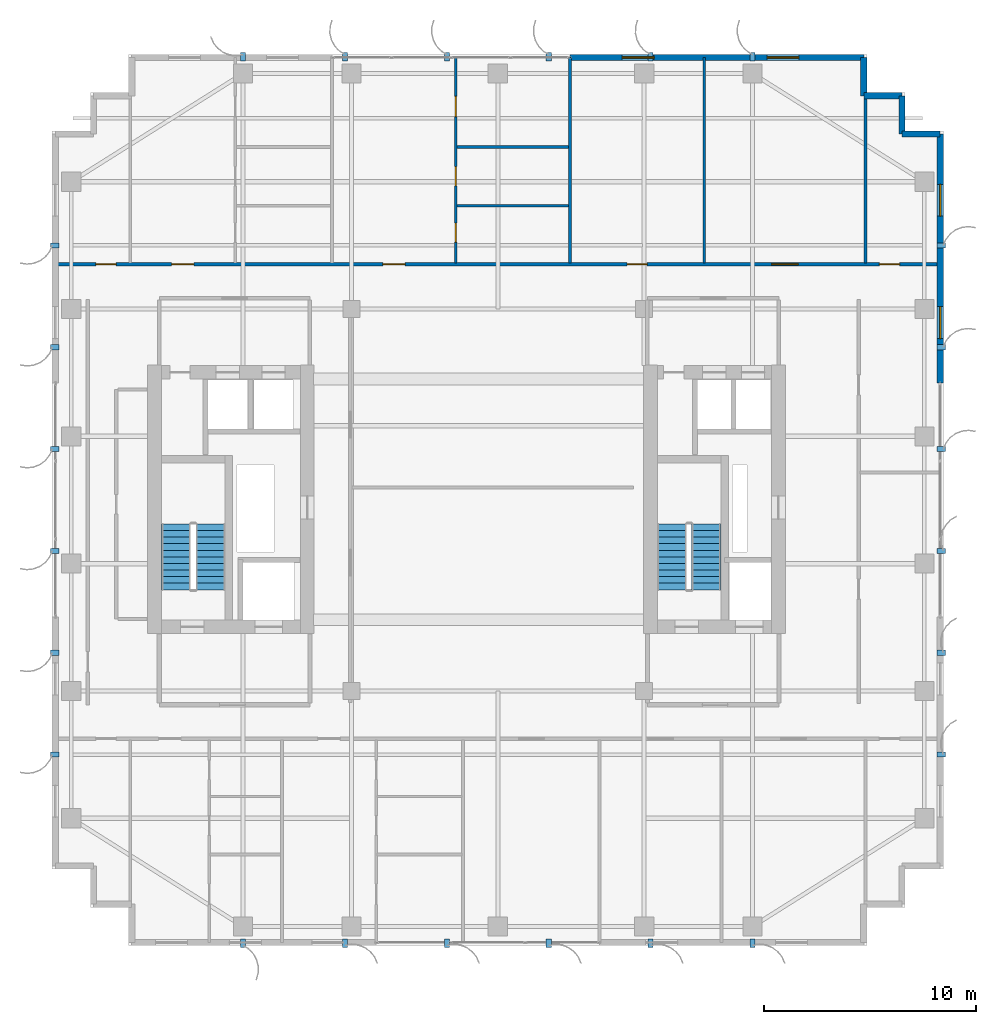
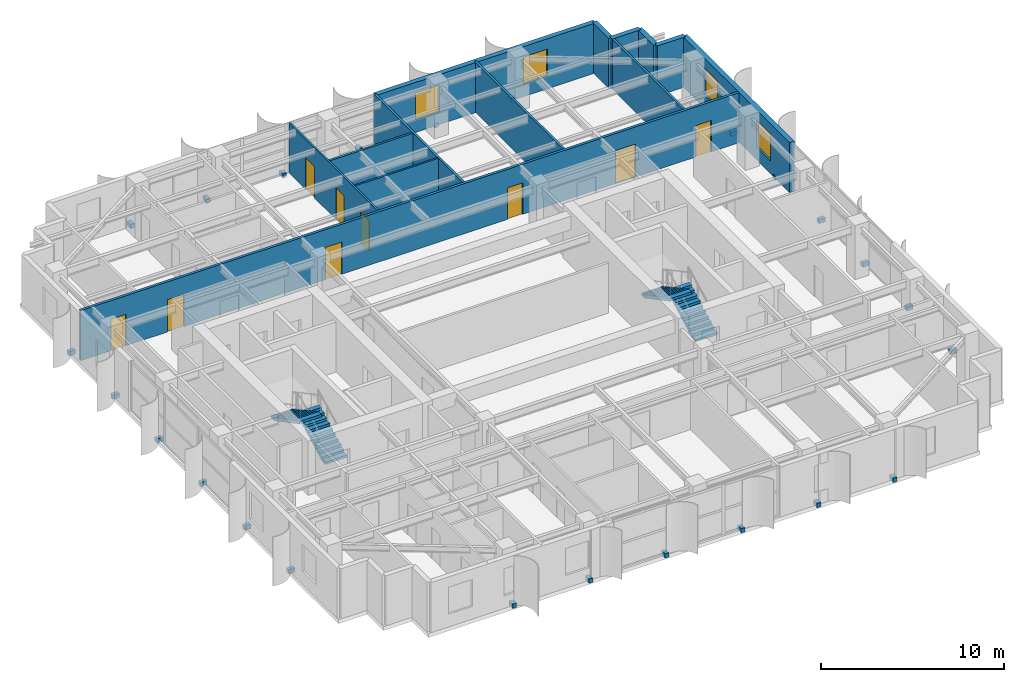
# One storey, part 19 of 22: 24 discrete accessories, 13 walls, 9 doors, 4 stair flights, 4 windows, 13 openings, 2 elements without a shape of their own.
"""IFC4 building model written with IfcOpenShell, lengths in metres."""

from ifc_helpers import new_model, si_unit, direction, frame, frame_2d, origin, origin_2d, place, context, subcontext, project, spatial, polyline, rectangle, outline, extrude, source, transform, mapped, material, layer, layer_set, type_object, element, fill, aggregate, save


model = new_model("IFC4")

# Units and contexts
model_context = context("Model", 3, precision=1e-05, world=origin(), true_north=direction((0.0, 1.0)))
body_context = subcontext(model_context, "Body", "Model", "MODEL_VIEW")
ifc_project = project(units=[si_unit("LENGTHUNIT", "METRE"), si_unit("AREAUNIT", "SQUARE_METRE"), si_unit("VOLUMEUNIT", "CUBIC_METRE"), si_unit("PLANEANGLEUNIT", "RADIAN"), si_unit("MASSUNIT", "GRAM", prefix="KILO")], contexts=[model_context])

# Site, building, storey
site_placement = place(None, origin())
site = spatial("IfcSite", under=ifc_project, at=site_placement, CompositionType="ELEMENT")
building_placement = place(site_placement, origin())
building = spatial("IfcBuilding", under=site, at=building_placement, Name="Khoralis Quay Care Tower", CompositionType="ELEMENT")
storey_placement = place(building_placement, frame((0.0, 0.0, 170.10009765625)))
storey = spatial("IfcBuildingStorey", under=building, at=storey_placement, Name="L44", CompositionType="ELEMENT", Elevation=170.10009765625)

# Wall, openings, doors
ifc_material_1 = material(Name="Gypsum plasterboard on acoustic metal stud")
ifc_layer_1 = layer(ifc_material_1, 0.1650390625)
ifc_layer_set_1 = layer_set([ifc_layer_1], Name="Gypsum plasterboard on acoustic metal stud")
wall_type_1 = type_object("IfcWallType", Name="WL-CORR-165", PredefinedType="PARTITIONING", material=ifc_layer_set_1)
wall_1_placement = place(storey_placement, frame((3.14501953125, 32.10009765625, 0.0), z_axis=(0.0, 0.0, 1.0), x_axis=(1.0, 0.0, 0.0)))
wall_1 = element("IfcWall", 1, at=wall_1_placement, inside=storey, type_object=wall_type_1, Name="L44 North Main Corridor Wall", PredefinedType="PARTITIONING", context=body_context, shape_type="SweptSolid", body=[
    extrude(rectangle(XDim=41.7099609375, YDim=0.1650390625, at=frame_2d((20.85498046875, 0.0))), origin(), (0.0, 0.0, 1.0), 3.33984375),
])
opening_1_placement = place(wall_1_placement, frame((5.482421875, 0.0, 0.0)))
opening_1 = element("IfcOpeningElement", 2, at=opening_1_placement, cuts=wall_1, Name="Opening UD1", PredefinedType="OPENING", context=body_context, shape_type="SweptSolid", body=[
    extrude(rectangle(XDim=1.050048828125, YDim=2.14990234375, at=frame_2d((0.52490234375, 1.074951171875))), frame((0.0, 0.092529296875, 0.0), z_axis=(0.0, -1.0, 0.0), x_axis=(1.0, 0.0, 0.0)), (0.0, 0.0, 1.0), 0.18505859375),
])
opening_2_placement = place(wall_1_placement, frame((15.4345703125, 0.0, 0.0)))
opening_2 = element("IfcOpeningElement", 3, at=opening_2_placement, cuts=wall_1, Name="Opening UD1", PredefinedType="OPENING", context=body_context, shape_type="SweptSolid", body=[
    extrude(rectangle(XDim=1.050048828125, YDim=2.14990234375, at=frame_2d((0.52490234375, 1.074951171875))), frame((0.0, 0.092529296875, 0.0), z_axis=(0.0, -1.0, 0.0), x_axis=(1.0, 0.0, 0.0)), (0.0, 0.0, 1.0), 0.18505859375),
])
opening_3_placement = place(wall_1_placement, frame((26.945068359375, 0.0, 0.0)))
opening_3 = element("IfcOpeningElement", 4, at=opening_3_placement, cuts=wall_1, Name="Opening ID1", PredefinedType="OPENING", context=body_context, shape_type="SweptSolid", body=[
    extrude(rectangle(XDim=0.949951171875, YDim=2.10009765625, at=frame_2d((0.47509765625, 1.050048828125))), frame((0.0, 0.092529296875, 0.0), z_axis=(0.0, -1.0, 0.0), x_axis=(1.0, 0.0, 0.0)), (0.0, 0.0, 1.0), 0.18505859375),
])
opening_4_placement = place(wall_1_placement, frame((33.7548828125, 0.0, 0.0)))
opening_4 = element("IfcOpeningElement", 5, at=opening_4_placement, cuts=wall_1, Name="Opening CD1", PredefinedType="OPENING", context=body_context, shape_type="SweptSolid", body=[
    extrude(rectangle(XDim=1.25, YDim=2.199951171875, at=frame_2d((0.625, 1.10009765625))), frame((0.0, 0.092529296875, 0.0), z_axis=(0.0, -1.0, 0.0), x_axis=(1.0, 0.0, 0.0)), (0.0, 0.0, 1.0), 0.18505859375),
])
opening_5_placement = place(wall_1_placement, frame((1.919921875, 0.0, 0.0)))
opening_5 = element("IfcOpeningElement", 6, at=opening_5_placement, cuts=wall_1, Name="Opening ID1", PredefinedType="OPENING", context=body_context, shape_type="SweptSolid", body=[
    extrude(rectangle(XDim=0.949951171875, YDim=2.10009765625, at=frame_2d((0.47509765625, 1.050048828125))), frame((0.0, 0.092529296875, 0.0), z_axis=(0.0, -1.0, 0.0), x_axis=(1.0, 0.0, 0.0)), (0.0, 0.0, 1.0), 0.18505859375),
])
opening_6_placement = place(wall_1_placement, frame((38.840087890625, 0.0, 0.0)))
opening_6 = element("IfcOpeningElement", 7, at=opening_6_placement, cuts=wall_1, Name="Opening ID1", PredefinedType="OPENING", context=body_context, shape_type="SweptSolid", body=[
    extrude(rectangle(XDim=0.949951171875, YDim=2.10009765625, at=frame_2d((0.47509765625, 1.050048828125))), frame((0.0, 0.092529296875, 0.0), z_axis=(0.0, -1.0, 0.0), x_axis=(1.0, 0.0, 0.0)), (0.0, 0.0, 1.0), 0.18505859375),
])
ifc_material_2 = material(Name="Acoustic hardwood timber", Category="wood")
door_type_1 = type_object("IfcDoorType", Name="DR-CARE-1250X2200", OperationType="NOTDEFINED", PredefinedType="DOOR", material=ifc_material_2)
shared_shape_1 = source(origin(), body_context, "Body", "SweptSolid", [
    extrude(rectangle(XDim=1.25, YDim=2.199951171875, at=frame_2d((0.625, 1.10009765625))), frame((0.0, 0.02490234375, 0.0), z_axis=(0.0, -1.0, 0.0), x_axis=(1.0, 0.0, 0.0)), (0.0, 0.0, 1.0), 0.050048828125),
])
door_1_placement = place(opening_4_placement, origin())
door_1 = element("IfcDoor", 8, at=door_1_placement, inside=storey, type_object=door_type_1, Name="L44 Geriatric Consultation Clinic Door", OperationType="SINGLE_SWING_LEFT", OverallHeight=2.199951171875, OverallWidth=1.25, PredefinedType="DOOR", context=body_context, shape_type="MappedRepresentation", body=[
    mapped(shared_shape_1, transform((0.0, 0.0, 0.0), scale=1.0)),
])
fill(opening_4, door_1)
door_type_2 = type_object("IfcDoorType", Name="DR-ROOM-950X2100", OperationType="NOTDEFINED", PredefinedType="DOOR", material=ifc_material_2)
shared_shape_2 = source(origin(), body_context, "Body", "SweptSolid", [
    extrude(rectangle(XDim=0.949951171875, YDim=2.10009765625, at=frame_2d((0.47509765625, 1.050048828125))), frame((0.0, 0.02490234375, 0.0), z_axis=(0.0, -1.0, 0.0), x_axis=(1.0, 0.0, 0.0)), (0.0, 0.0, 1.0), 0.050048828125),
])
door_2_placement = place(opening_3_placement, origin())
door_2 = element("IfcDoor", 9, at=door_2_placement, inside=storey, type_object=door_type_2, Name="L44 Family Case Conference Room Door", OperationType="SINGLE_SWING_LEFT", OverallHeight=2.10009765625, OverallWidth=0.949951171875, PredefinedType="DOOR", context=body_context, shape_type="MappedRepresentation", body=[
    mapped(shared_shape_2, transform((0.0, 0.0, 0.0), scale=1.0)),
])
fill(opening_3, door_2)
door_3_placement = place(opening_5_placement, origin())
door_3 = element("IfcDoor", 10, at=door_3_placement, inside=storey, type_object=door_type_2, Name="L44 NW Corner Door", OperationType="SINGLE_SWING_RIGHT", OverallHeight=2.10009765625, OverallWidth=0.949951171875, PredefinedType="DOOR", context=body_context, shape_type="MappedRepresentation", body=[
    mapped(shared_shape_2, transform((0.0, 0.0, 0.0), scale=1.0)),
])
fill(opening_5, door_3)
door_4_placement = place(opening_6_placement, origin())
door_4 = element("IfcDoor", 11, at=door_4_placement, inside=storey, type_object=door_type_2, Name="L44 NE Corner Door", OperationType="SINGLE_SWING_LEFT", OverallHeight=2.10009765625, OverallWidth=0.949951171875, PredefinedType="DOOR", context=body_context, shape_type="MappedRepresentation", body=[
    mapped(shared_shape_2, transform((0.0, 0.0, 0.0), scale=1.0)),
])
fill(opening_6, door_4)
door_type_3 = type_object("IfcDoorType", Name="DR-SUITE-1050X2150", OperationType="NOTDEFINED", PredefinedType="DOOR", material=ifc_material_2)
shared_shape_3 = source(origin(), body_context, "Body", "SweptSolid", [
    extrude(rectangle(XDim=1.050048828125, YDim=2.14990234375, at=frame_2d((0.52490234375, 1.074951171875))), frame((0.0, 0.02490234375, 0.0), z_axis=(0.0, -1.0, 0.0), x_axis=(1.0, 0.0, 0.0)), (0.0, 0.0, 1.0), 0.050048828125),
])
door_5_placement = place(opening_1_placement, origin())
door_5 = element("IfcDoor", 12, at=door_5_placement, inside=storey, type_object=door_type_3, Name="L44 Apartment NB0 Entrance Door", OperationType="SINGLE_SWING_RIGHT", OverallHeight=2.14990234375, OverallWidth=1.050048828125, PredefinedType="DOOR", context=body_context, shape_type="MappedRepresentation", body=[
    mapped(shared_shape_3, transform((0.0, 0.0, 0.0), scale=1.0)),
])
fill(opening_1, door_5)
door_6_placement = place(opening_2_placement, origin())
door_6 = element("IfcDoor", 13, at=door_6_placement, inside=storey, type_object=door_type_3, Name="L44 Apartment NB1 Entrance Door", OperationType="SINGLE_SWING_LEFT", OverallHeight=2.14990234375, OverallWidth=1.050048828125, PredefinedType="DOOR", context=body_context, shape_type="MappedRepresentation", body=[
    mapped(shared_shape_3, transform((0.0, 0.0, 0.0), scale=1.0)),
])
fill(opening_2, door_6)

# Wall, openings, windows
ifc_material_3 = material(Name="Precast concrete C45/55", Category="concrete")
ifc_layer_2 = layer(ifc_material_3, 0.300048828125)
ifc_layer_set_2 = layer_set([ifc_layer_2], Name="Precast concrete C45/55")
wall_type_2 = type_object("IfcWallType", Name="WL-EXT-REF-300", PredefinedType="SOLIDWALL", material=ifc_layer_set_2)
wall_2_placement = place(storey_placement, frame((44.85009765625, 26.52001953125, 0.0), z_axis=(0.0, 0.0, 1.0), x_axis=(0.0, 1.0, 0.0)))
wall_2 = element("IfcWall", 14, at=wall_2_placement, inside=storey, type_object=wall_type_2, Name="L44 External Facade Wall WL-EXT-L44-P1-E5B", PredefinedType="SOLIDWALL", context=body_context, shape_type="SweptSolid", body=[
    extrude(rectangle(XDim=11.72998046875, YDim=0.300048828125, at=frame_2d((5.864990234375, 0.0))), origin(), (0.0, 0.0, 1.0), 3.33984375),
])
opening_7_placement = place(wall_2_placement, frame((2.090087890625, 0.0, 0.85009765625)))
opening_7 = element("IfcOpeningElement", 15, at=opening_7_placement, cuts=wall_2, Name="Opening W3", PredefinedType="OPENING", context=body_context, shape_type="SweptSolid", body=[
    extrude(rectangle(XDim=1.5, YDim=1.800048828125, at=frame_2d((0.75, 0.89990234375))), frame((0.0, 0.16015625, 0.0), z_axis=(0.0, -1.0, 0.0), x_axis=(1.0, 0.0, 0.0)), (0.0, 0.0, 1.0), 0.320068359375),
])
opening_8_placement = place(wall_2_placement, frame((7.85498046875, 0.0, 0.85009765625)))
opening_8 = element("IfcOpeningElement", 16, at=opening_8_placement, cuts=wall_2, Name="Opening W3", PredefinedType="OPENING", context=body_context, shape_type="SweptSolid", body=[
    extrude(rectangle(XDim=1.5, YDim=1.800048828125, at=frame_2d((0.75, 0.89990234375))), frame((0.0, 0.16015625, 0.0), z_axis=(0.0, -1.0, 0.0), x_axis=(1.0, 0.0, 0.0)), (0.0, 0.0, 1.0), 0.320068359375),
])
ifc_material_4 = material(Name="Low-E solar-control double glazing", Category="glass")
window_type = type_object("IfcWindowType", Name="WN-CLIN-1500X1800", PartitioningType="SINGLE_PANEL", PredefinedType="WINDOW", material=ifc_material_4)
shared_shape_4 = source(origin(), body_context, "Body", "SweptSolid", [
    extrude(rectangle(XDim=1.5, YDim=1.800048828125, at=frame_2d((0.75, 0.89990234375))), frame((0.0, 0.030029296875, 0.0), z_axis=(0.0, -1.0, 0.0), x_axis=(1.0, 0.0, 0.0)), (0.0, 0.0, 1.0), 0.06005859375),
])
window_1_placement = place(opening_7_placement, origin())
window_1 = element("IfcWindow", 17, at=window_1_placement, inside=storey, type_object=window_type, Name="WN-L44-P1-E5B Facade Window 01", OverallHeight=1.800048828125, OverallWidth=1.5, PartitioningType="SINGLE_PANEL", PredefinedType="WINDOW", context=body_context, shape_type="MappedRepresentation", body=[
    mapped(shared_shape_4, transform((0.0, 0.0, 0.0), scale=1.0)),
])
fill(opening_7, window_1)
window_2_placement = place(opening_8_placement, origin())
window_2 = element("IfcWindow", 18, at=window_2_placement, inside=storey, type_object=window_type, Name="WN-L44-P1-E5B Facade Window 02", OverallHeight=1.800048828125, OverallWidth=1.5, PartitioningType="SINGLE_PANEL", PredefinedType="WINDOW", context=body_context, shape_type="MappedRepresentation", body=[
    mapped(shared_shape_4, transform((0.0, 0.0, 0.0), scale=1.0)),
])
fill(opening_8, window_2)

# Walls
for number, where, z_axis, x_axis, name in (
    (19, (44.85009765625, 38.25, 0.0), (0.0, 0.0, 1.0), (-1.0, 0.0, 0.0), "L44 External Facade Wall WL-EXT-L44-P1-C6"),
    (20, (43.050048828125, 38.25, 0.0), (0.0, 0.0, 1.0), (0.0, 1.0, 0.0), "L44 External Facade Wall WL-EXT-L44-P1-C7"),
    (21, (43.050048828125, 40.050048828125, 0.0), (0.0, 0.0, 1.0), (-1.0, 0.0, 0.0), "L44 External Facade Wall WL-EXT-L44-P1-C8"),
    (22, (41.25, 40.050048828125, 0.0), (0.0, 0.0, 1.0), (0.0, 1.0, 0.0), "L44 External Facade Wall WL-EXT-L44-P1-C9"),
):
    element("IfcWall", number, at=place(storey_placement, frame(where, z_axis=z_axis, x_axis=x_axis)), inside=storey, type_object=wall_type_2, Name=name, PredefinedType="SOLIDWALL", context=body_context, shape_type="SweptSolid", body=[
        extrude(rectangle(XDim=1.800048828125, YDim=0.300048828125, at=frame_2d((0.89990234375, 0.0))), origin(), (0.0, 0.0, 1.0), 3.33984375),
    ])

# Wall, openings, windows
wall_3_placement = place(storey_placement, frame((41.25, 41.85009765625, 0.0), z_axis=(0.0, 0.0, 1.0), x_axis=(-1.0, 0.0, 0.0)))
wall_3 = element("IfcWall", 23, at=wall_3_placement, inside=storey, type_object=wall_type_2, Name="L44 External Facade Wall WL-EXT-L44-P1-E10A", PredefinedType="SOLIDWALL", context=body_context, shape_type="SweptSolid", body=[
    extrude(rectangle(XDim=13.85009765625, YDim=0.300048828125, at=frame_2d((6.925048828125, 0.0))), origin(), (0.0, 0.0, 1.0), 3.33984375),
])
opening_9_placement = place(wall_3_placement, frame((3.06005859375, 0.0, 0.85009765625)))
opening_9 = element("IfcOpeningElement", 24, at=opening_9_placement, cuts=wall_3, Name="Opening W3", PredefinedType="OPENING", context=body_context, shape_type="SweptSolid", body=[
    extrude(rectangle(XDim=1.5, YDim=1.800048828125, at=frame_2d((0.75, 0.89990234375))), frame((0.0, 0.16015625, 0.0), z_axis=(0.0, -1.0, 0.0), x_axis=(1.0, 0.0, 0.0)), (0.0, 0.0, 1.0), 0.320068359375),
])
opening_10_placement = place(wall_3_placement, frame((9.885009765625, 0.0, 0.85009765625)))
opening_10 = element("IfcOpeningElement", 25, at=opening_10_placement, cuts=wall_3, Name="Opening W3", PredefinedType="OPENING", context=body_context, shape_type="SweptSolid", body=[
    extrude(rectangle(XDim=1.5, YDim=1.800048828125, at=frame_2d((0.75, 0.89990234375))), frame((0.0, 0.16015625, 0.0), z_axis=(0.0, -1.0, 0.0), x_axis=(1.0, 0.0, 0.0)), (0.0, 0.0, 1.0), 0.320068359375),
])
window_3_placement = place(opening_9_placement, origin())
window_3 = element("IfcWindow", 26, at=window_3_placement, inside=storey, type_object=window_type, Name="WN-L44-P1-E10A Facade Window 01", OverallHeight=1.800048828125, OverallWidth=1.5, PartitioningType="SINGLE_PANEL", PredefinedType="WINDOW", context=body_context, shape_type="MappedRepresentation", body=[
    mapped(shared_shape_4, transform((0.0, 0.0, 0.0), scale=1.0)),
])
fill(opening_9, window_3)
window_4_placement = place(opening_10_placement, origin())
window_4 = element("IfcWindow", 27, at=window_4_placement, inside=storey, type_object=window_type, Name="WN-L44-P1-E10A Facade Window 02", OverallHeight=1.800048828125, OverallWidth=1.5, PartitioningType="SINGLE_PANEL", PredefinedType="WINDOW", context=body_context, shape_type="MappedRepresentation", body=[
    mapped(shared_shape_4, transform((0.0, 0.0, 0.0), scale=1.0)),
])
fill(opening_10, window_4)

# Wall, openings, doors
ifc_layer_3 = layer(ifc_material_1, 0.114990234375)
ifc_layer_set_3 = layer_set([ifc_layer_3], Name="Gypsum plasterboard on acoustic metal stud")
wall_type_3 = type_object("IfcWallType", Name="WL-PART-115", PredefinedType="PARTITIONING", material=ifc_layer_set_3)
wall_4_placement = place(storey_placement, frame((22.01904296875, 32.177490234375, 0.0), z_axis=(0.0, 0.0, 1.0), x_axis=(0.0, 1.0, 0.0)))
wall_4 = element("IfcWall", 28, at=wall_4_placement, inside=storey, type_object=wall_type_3, Name="L44 Unit 1 Internal Wall", PredefinedType="PARTITIONING", context=body_context, shape_type="SweptSolid", body=[
    extrude(rectangle(XDim=9.677490234375, YDim=0.114990234375, at=frame_2d((4.8388671875, 0.0))), origin(), (0.0, 0.0, 1.0), 3.33984375),
])
opening_11_placement = place(wall_4_placement, frame((6.89453125, 0.0, 0.0)))
opening_11 = element("IfcOpeningElement", 29, at=opening_11_placement, cuts=wall_4, Name="Opening ID1", PredefinedType="OPENING", context=body_context, shape_type="SweptSolid", body=[
    extrude(rectangle(XDim=0.949951171875, YDim=2.10009765625, at=frame_2d((0.47509765625, 1.050048828125))), frame((0.0, 0.0673828125, 0.0), z_axis=(0.0, -1.0, 0.0), x_axis=(1.0, 0.0, 0.0)), (0.0, 0.0, 1.0), 0.135009765625),
])
opening_12_placement = place(wall_4_placement, frame((3.630615234375, 0.0, 0.0)))
opening_12 = element("IfcOpeningElement", 30, at=opening_12_placement, cuts=wall_4, Name="Opening WD1", PredefinedType="OPENING", context=body_context, shape_type="SweptSolid", body=[
    extrude(rectangle(XDim=0.89990234375, YDim=2.10009765625, at=frame_2d((0.449951171875, 1.050048828125))), frame((0.0, 0.0673828125, 0.0), z_axis=(0.0, -1.0, 0.0), x_axis=(1.0, 0.0, 0.0)), (0.0, 0.0, 1.0), 0.135009765625),
])
opening_13_placement = place(wall_4_placement, frame((0.973388671875, 0.0, 0.0)))
opening_13 = element("IfcOpeningElement", 31, at=opening_13_placement, cuts=wall_4, Name="Opening WD1", PredefinedType="OPENING", context=body_context, shape_type="SweptSolid", body=[
    extrude(rectangle(XDim=0.89990234375, YDim=2.10009765625, at=frame_2d((0.449951171875, 1.050048828125))), frame((0.0, 0.0673828125, 0.0), z_axis=(0.0, -1.0, 0.0), x_axis=(1.0, 0.0, 0.0)), (0.0, 0.0, 1.0), 0.135009765625),
])
door_type_4 = type_object("IfcDoorType", Name="DR-BATH-900X2100", OperationType="NOTDEFINED", PredefinedType="DOOR", material=ifc_material_2)
shared_shape_5 = source(origin(), body_context, "Body", "SweptSolid", [
    extrude(rectangle(XDim=0.89990234375, YDim=2.10009765625, at=frame_2d((0.449951171875, 1.050048828125))), frame((0.0, 0.02490234375, 0.0), z_axis=(0.0, -1.0, 0.0), x_axis=(1.0, 0.0, 0.0)), (0.0, 0.0, 1.0), 0.050048828125),
])
door_7_placement = place(opening_12_placement, frame((0.89990234375, 0.0, 0.0), z_axis=(0.0, 0.0, 1.0), x_axis=(-1.0, 0.0, 0.0)))
door_7 = element("IfcDoor", 32, at=door_7_placement, inside=storey, type_object=door_type_4, Name="L44 Apartment NB1 KIT Door", OperationType="SINGLE_SWING_LEFT", OverallHeight=2.10009765625, OverallWidth=0.89990234375, PredefinedType="DOOR", context=body_context, shape_type="MappedRepresentation", body=[
    mapped(shared_shape_5, transform((0.0, 0.0, 0.0), scale=1.0)),
])
fill(opening_12, door_7)
door_8_placement = place(opening_13_placement, frame((0.89990234375, 0.0, 0.0), z_axis=(0.0, 0.0, 1.0), x_axis=(-1.0, 0.0, 0.0)))
door_8 = element("IfcDoor", 33, at=door_8_placement, inside=storey, type_object=door_type_4, Name="L44 Apartment NB1 BTH Door", OperationType="SINGLE_SWING_RIGHT", OverallHeight=2.10009765625, OverallWidth=0.89990234375, PredefinedType="DOOR", context=body_context, shape_type="MappedRepresentation", body=[
    mapped(shared_shape_5, transform((0.0, 0.0, 0.0), scale=1.0)),
])
fill(opening_13, door_8)
door_9_placement = place(opening_11_placement, frame((0.949951171875, 0.0, 0.0), z_axis=(0.0, 0.0, 1.0), x_axis=(-1.0, 0.0, 0.0)))
door_9 = element("IfcDoor", 34, at=door_9_placement, inside=storey, type_object=door_type_2, Name="L44 Apartment NB1 BED Door", OperationType="SINGLE_SWING_RIGHT", OverallHeight=2.10009765625, OverallWidth=0.949951171875, PredefinedType="DOOR", context=body_context, shape_type="MappedRepresentation", body=[
    mapped(shared_shape_2, transform((0.0, 0.0, 0.0), scale=1.0)),
])
fill(opening_11, door_9)

# Walls
wall_5_placement = place(storey_placement, frame((22.071533203125, 34.8720703125, 0.0), z_axis=(0.0, 0.0, 1.0), x_axis=(1.0, 0.0, 0.0)))
element("IfcWall", 35, at=wall_5_placement, inside=storey, type_object=wall_type_3, Name="L44 Unit 1 Kitchen Wall", PredefinedType="PARTITIONING", context=body_context, shape_type="SweptSolid", body=[
    extrude(rectangle(XDim=5.263427734375, YDim=0.114990234375, at=frame_2d((2.6318359375, 0.0))), origin(), (0.0, 0.0, 1.0), 3.33984375),
])
ifc_material_5 = material(Name="Moisture-resistant gypsum and ceramic tile")
ifc_layer_4 = layer(ifc_material_5, 0.280029296875)
ifc_layer_set_4 = layer_set([ifc_layer_4], Name="Moisture-resistant gypsum and ceramic tile")
wall_type_4 = type_object("IfcWallType", Name="WL-PLUMB-280", PredefinedType="PLUMBINGWALL", material=ifc_layer_set_4)
wall_6_placement = place(storey_placement, frame((22.071533203125, 37.64404296875, 0.0), z_axis=(0.0, 0.0, 1.0), x_axis=(1.0, 0.0, 0.0)))
element("IfcWall", 36, at=wall_6_placement, inside=storey, type_object=wall_type_4, Name="L44 Unit 1 Wet Wall", PredefinedType="PLUMBINGWALL", context=body_context, shape_type="SweptSolid", body=[
    extrude(rectangle(XDim=5.263427734375, YDim=0.139892578125, at=frame_2d((2.6318359375, 0.0))), origin(), (0.0, 0.0, 1.0), 3.33984375),
])
ifc_layer_5 = layer(ifc_material_1, 0.139892578125)
ifc_layer_set_5 = layer_set([ifc_layer_5], Name="Gypsum plasterboard on acoustic metal stud")
wall_type_5 = type_object("IfcWallType", Name="WL-UNIT-140", PredefinedType="PARTITIONING", material=ifc_layer_set_5)
for number, where, z_axis, x_axis, name in (
    (37, (27.39990234375, 32.177490234375, 0.0), (0.0, 0.0, 1.0), (0.0, 1.0, 0.0), "L44 NB Demising Wall 2"),
    (38, (33.72998046875, 32.177490234375, 0.0), (0.0, 0.0, 1.0), (0.0, 1.0, 0.0), "L44 NB Demising Wall 3"),
):
    element("IfcWall", number, at=place(storey_placement, frame(where, z_axis=z_axis, x_axis=x_axis)), inside=storey, type_object=wall_type_5, Name=name, PredefinedType="PARTITIONING", context=body_context, shape_type="SweptSolid", body=[
        extrude(rectangle(XDim=9.677490234375, YDim=0.139892578125, at=frame_2d((4.8388671875, 0.0))), origin(), (0.0, 0.0, 1.0), 3.33984375),
    ])
wall_7_placement = place(storey_placement, frame((41.320068359375, 32.177490234375, 0.0), z_axis=(0.0, 0.0, 1.0), x_axis=(0.0, 1.0, 0.0)))
element("IfcWall", 39, at=wall_7_placement, inside=storey, type_object=wall_type_5, Name="L44 NB Demising Wall 4", PredefinedType="PARTITIONING", context=body_context, shape_type="SweptSolid", body=[
    extrude(rectangle(XDim=7.87744140625, YDim=0.139892578125, at=frame_2d((3.938720703125, 0.0))), origin(), (0.0, 0.0, 1.0), 3.33984375),
])

# Stair, stair flights
stair_type = type_object("IfcStairType", Name="ST-TWR-DOGLEG-1400", PredefinedType="HALF_TURN_STAIR", material=ifc_material_3)
stair_1_placement = place(storey_placement, origin())
stair_1 = element("IfcStair", 40, at=stair_1_placement, inside=storey, type_object=stair_type, Name="L44 West Core Exit Stair ST-T1", PredefinedType="HALF_TURN_STAIR")
stair_flight_type = type_object("IfcStairFlightType", Name="SF-TWR-1400", PredefinedType="STRAIGHT", material=ifc_material_3)
shared_shape_6 = source(origin(), body_context, "Body", "SweptSolid", [
    extrude(outline(polyline([(0.0, 0.0), (0.0, 0.16357421875), (0.31005859375, 0.16357421875), (0.31005859375, 0.327392578125), (0.6201171875, 0.327392578125), (0.6201171875, 0.490966796875), (0.929931640625, 0.490966796875), (0.929931640625, 0.654541015625), (1.239990234375, 0.654541015625), (1.239990234375, 0.818115234375), (1.550048828125, 0.818115234375), (1.550048828125, 0.98193359375), (1.860107421875, 0.98193359375), (1.860107421875, 1.1455078125), (2.169921875, 1.1455078125), (2.169921875, 1.30908203125), (2.47998046875, 1.30908203125), (2.47998046875, 1.47265625), (2.7900390625, 1.47265625), (2.7900390625, 1.636474609375), (3.10009765625, 1.636474609375), (3.10009765625, 1.800048828125), (3.10009765625, 1.466796875), (0.321044921875, 0.0), (0.0, 0.0)])), frame((0.0, 0.68994140625, 0.0), z_axis=(0.0, -1.0, 0.0), x_axis=(1.0, 0.0, 0.0)), (0.0, 0.0, 1.0), 1.3798828125),
])
stair_flight_1_placement = place(storey_placement, frame((10.4599609375, 16.77001953125, 0.0), z_axis=(0.0, 0.0, 1.0), x_axis=(0.0, 1.0, 0.0)))
stair_flight_1 = element("IfcStairFlight", 41, at=stair_flight_1_placement, type_object=stair_flight_type, Name="ST-T1 flight 1", NumberOfRisers=11, NumberOfTreads=10, PredefinedType="STRAIGHT", RiserHeight=0.163636364, TreadLength=0.31, context=body_context, shape_type="MappedRepresentation", body=[
    mapped(shared_shape_6, transform((0.0, 0.0, 0.0), scale=1.0)),
])
stair_flight_2_placement = place(storey_placement, frame((8.840087890625, 19.8701171875, 1.7998046875), z_axis=(0.0, 0.0, 1.0), x_axis=(0.0, -1.0, 0.0)))
stair_flight_2 = element("IfcStairFlight", 42, at=stair_flight_2_placement, type_object=stair_flight_type, Name="ST-T1 flight 2", NumberOfRisers=11, NumberOfTreads=10, PredefinedType="STRAIGHT", RiserHeight=0.163636364, TreadLength=0.31, context=body_context, shape_type="MappedRepresentation", body=[
    mapped(shared_shape_6, transform((0.0, 0.0, 0.0), scale=1.0)),
])
aggregate(stair_1, [stair_flight_1, stair_flight_2])

stair_2_placement = place(storey_placement, origin())
stair_2 = element("IfcStair", 43, at=stair_2_placement, inside=storey, type_object=stair_type, Name="L44 East Core Exit Stair ST-T2", PredefinedType="HALF_TURN_STAIR")
stair_flight_3_placement = place(storey_placement, frame((33.830078125, 16.77001953125, 0.0), z_axis=(0.0, 0.0, 1.0), x_axis=(0.0, 1.0, 0.0)))
stair_flight_3 = element("IfcStairFlight", 44, at=stair_flight_3_placement, type_object=stair_flight_type, Name="ST-T2 flight 1", NumberOfRisers=11, NumberOfTreads=10, PredefinedType="STRAIGHT", RiserHeight=0.163636364, TreadLength=0.31, context=body_context, shape_type="MappedRepresentation", body=[
    mapped(shared_shape_6, transform((0.0, 0.0, 0.0), scale=1.0)),
])
stair_flight_4_placement = place(storey_placement, frame((32.2099609375, 19.8701171875, 1.7998046875), z_axis=(0.0, 0.0, 1.0), x_axis=(0.0, -1.0, 0.0)))
stair_flight_4 = element("IfcStairFlight", 45, at=stair_flight_4_placement, type_object=stair_flight_type, Name="ST-T2 flight 2", NumberOfRisers=11, NumberOfTreads=10, PredefinedType="STRAIGHT", RiserHeight=0.163636364, TreadLength=0.31, context=body_context, shape_type="MappedRepresentation", body=[
    mapped(shared_shape_6, transform((0.0, 0.0, 0.0), scale=1.0)),
])
aggregate(stair_2, [stair_flight_3, stair_flight_4])

# Discrete accessories
ifc_material_6 = material(Name="Brushed stainless steel", Category="steel")
discrete_accessory_type = type_object("IfcDiscreteAccessoryType", Name="ACC-FIN-BRACKET", PredefinedType="BRACKET", material=ifc_material_6)
shared_shape_7 = source(origin(), body_context, "Body", "SweptSolid", [
    extrude(rectangle(XDim=0.39990234375, YDim=0.239990234375, at=origin_2d()), origin(), (0.0, 0.0, 1.0), 0.280029296875),
])
for number, where, z_axis, x_axis, name in (
    (46, (12.0, 0.110107421875, -0.1201171875), (0.0, 0.0, 1.0), (0.0, -1.0, 0.0), "L44 Solar Fin Bracket P1E0-01"),
    (47, (16.800048828125, 0.110107421875, -0.1201171875), (0.0, 0.0, 1.0), (0.0, -1.0, 0.0), "L44 Solar Fin Bracket P1E0-02"),
    (48, (21.60009765625, 0.110107421875, -0.1201171875), (0.0, 0.0, 1.0), (0.0, -1.0, 0.0), "L44 Solar Fin Bracket P1E0-03"),
    (49, (26.39990234375, 0.110107421875, -0.1201171875), (0.0, 0.0, 1.0), (0.0, -1.0, 0.0), "L44 Solar Fin Bracket P1E0-04"),
    (50, (31.199951171875, 0.110107421875, -0.1201171875), (0.0, 0.0, 1.0), (0.0, -1.0, 0.0), "L44 Solar Fin Bracket P1E0-05"),
    (51, (36.0, 0.110107421875, -0.1201171875), (0.0, 0.0, 1.0), (0.0, -1.0, 0.0), "L44 Solar Fin Bracket P1E0-06"),
    (52, (44.889892578125, 9.0, -0.1201171875), (0.0, 0.0, 1.0), (1.0, 0.0, 0.0), "L44 Solar Fin Bracket P1E5-01"),
    (53, (44.889892578125, 13.800048828125, -0.1201171875), (0.0, 0.0, 1.0), (1.0, 0.0, 0.0), "L44 Solar Fin Bracket P1E5-02"),
    (54, (44.889892578125, 18.60009765625, -0.1201171875), (0.0, 0.0, 1.0), (1.0, 0.0, 0.0), "L44 Solar Fin Bracket P1E5-03"),
    (55, (44.889892578125, 23.39990234375, -0.1201171875), (0.0, 0.0, 1.0), (1.0, 0.0, 0.0), "L44 Solar Fin Bracket P1E5-04"),
    (56, (44.889892578125, 28.199951171875, -0.1201171875), (0.0, 0.0, 1.0), (1.0, 0.0, 0.0), "L44 Solar Fin Bracket P1E5-05"),
    (57, (44.889892578125, 33.0, -0.1201171875), (0.0, 0.0, 1.0), (1.0, 0.0, 0.0), "L44 Solar Fin Bracket P1E5-06"),
    (58, (36.0, 41.889892578125, -0.1201171875), (0.0, 0.0, 1.0), (0.0, 1.0, 0.0), "L44 Solar Fin Bracket P1E10-01"),
    (59, (31.199951171875, 41.889892578125, -0.1201171875), (0.0, 0.0, 1.0), (0.0, 1.0, 0.0), "L44 Solar Fin Bracket P1E10-02"),
    (60, (26.39990234375, 41.889892578125, -0.1201171875), (0.0, 0.0, 1.0), (0.0, 1.0, 0.0), "L44 Solar Fin Bracket P1E10-03"),
    (61, (21.60009765625, 41.889892578125, -0.1201171875), (0.0, 0.0, 1.0), (0.0, 1.0, 0.0), "L44 Solar Fin Bracket P1E10-04"),
    (62, (16.800048828125, 41.889892578125, -0.1201171875), (0.0, 0.0, 1.0), (0.0, 1.0, 0.0), "L44 Solar Fin Bracket P1E10-05"),
    (63, (12.0, 41.889892578125, -0.1201171875), (0.0, 0.0, 1.0), (0.0, 1.0, 0.0), "L44 Solar Fin Bracket P1E10-06"),
    (64, (3.110107421875, 33.0, -0.1201171875), (0.0, 0.0, 1.0), (-1.0, 0.0, 0.0), "L44 Solar Fin Bracket P1E15-01"),
    (65, (3.110107421875, 28.199951171875, -0.1201171875), (0.0, 0.0, 1.0), (-1.0, 0.0, 0.0), "L44 Solar Fin Bracket P1E15-02"),
    (66, (3.110107421875, 23.39990234375, -0.1201171875), (0.0, 0.0, 1.0), (-1.0, 0.0, 0.0), "L44 Solar Fin Bracket P1E15-03"),
    (67, (3.110107421875, 18.60009765625, -0.1201171875), (0.0, 0.0, 1.0), (-1.0, 0.0, 0.0), "L44 Solar Fin Bracket P1E15-04"),
    (68, (3.110107421875, 13.800048828125, -0.1201171875), (0.0, 0.0, 1.0), (-1.0, 0.0, 0.0), "L44 Solar Fin Bracket P1E15-05"),
    (69, (3.110107421875, 9.0, -0.1201171875), (0.0, 0.0, 1.0), (-1.0, 0.0, 0.0), "L44 Solar Fin Bracket P1E15-06"),
):
    element("IfcDiscreteAccessory", number, at=place(storey_placement, frame(where, z_axis=z_axis, x_axis=x_axis)), inside=storey, type_object=discrete_accessory_type, Name=name, PredefinedType="BRACKET", context=body_context, shape_type="MappedRepresentation", body=[
        mapped(shared_shape_7, transform((0.0, 0.0, 0.0), scale=1.0)),
    ])

save(model, "model.ifc")
